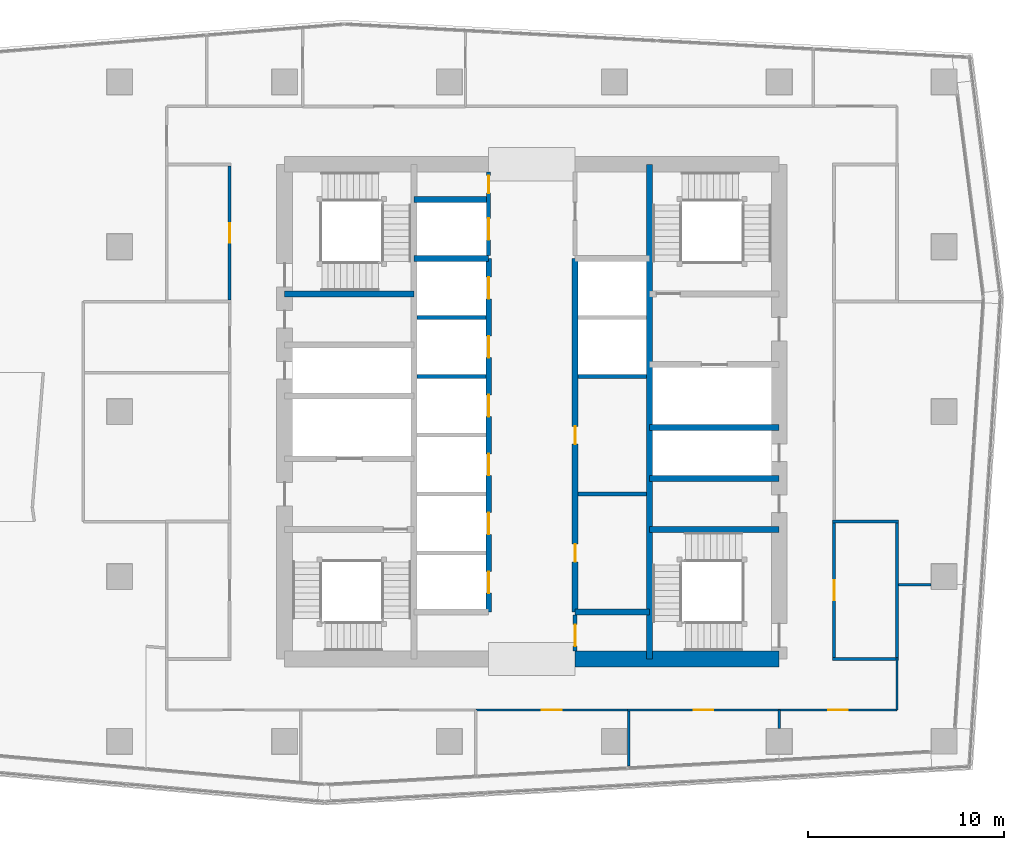
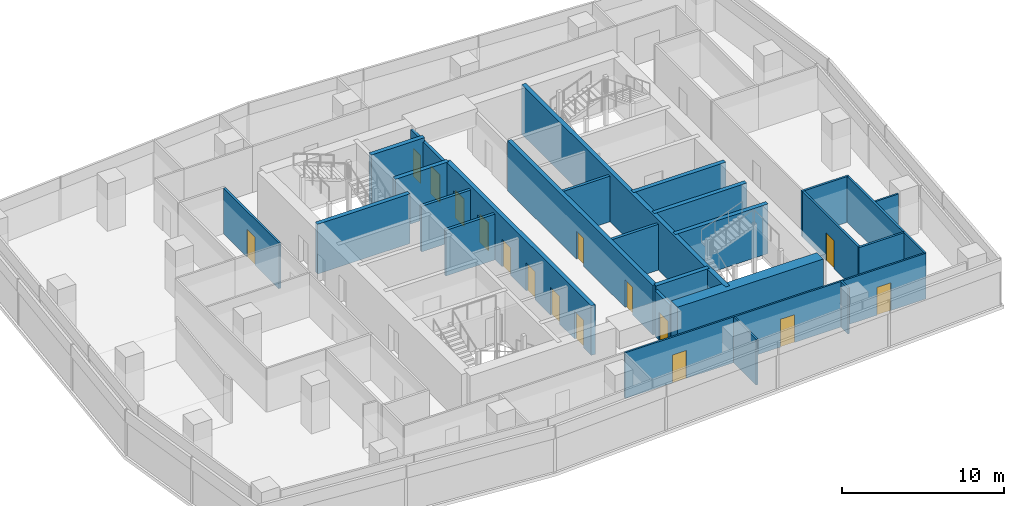
# One storey, part 23 of 30: 29 walls, 16 doors, 16 openings.
"""IFC4 building model written with IfcOpenShell, lengths in metres."""

from ifc_helpers import new_model, si_unit, direction, frame, frame_2d, origin, place, context, subcontext, project, spatial, rectangle, extrude, material, layer, layer_set, type_object, element, fill, save


model = new_model("IFC4")

# Units and contexts
model_context = context("Model", 3, precision=1e-05, world=origin(), true_north=direction((0.0, 1.0)))
body_context = subcontext(model_context, "Body", "Model", "MODEL_VIEW")
ifc_project = project(units=[si_unit("LENGTHUNIT", "METRE"), si_unit("AREAUNIT", "SQUARE_METRE"), si_unit("VOLUMEUNIT", "CUBIC_METRE"), si_unit("PLANEANGLEUNIT", "RADIAN"), si_unit("MASSUNIT", "GRAM", prefix="KILO")], contexts=[model_context])

# Site, building, storey
site_placement = place(None, origin())
site = spatial("IfcSite", under=ifc_project, at=site_placement, CompositionType="ELEMENT")
building_placement = place(site_placement, origin())
building = spatial("IfcBuilding", under=site, at=building_placement, Name="Rekha Terrace Tower", CompositionType="ELEMENT")
storey_placement = place(building_placement, frame((0.0, 0.0, 287.60009765625)))
storey = spatial("IfcBuildingStorey", under=building, at=storey_placement, Name="L73", CompositionType="ELEMENT", Elevation=287.60009765625)

# Wall
ifc_material_1 = material(Name="Concrete M60", Category="concrete")
ifc_layer_1 = layer(ifc_material_1, 0.300048828125)
ifc_layer_set_1 = layer_set([ifc_layer_1], Name="Concrete M60")
wall_type_1 = type_object("IfcWallType", Name="CI5 300 core internal shear wall", PredefinedType="SHEAR", material=ifc_layer_set_1)
wall_1_placement = place(storey_placement, frame((43.800048828125, 21.0, 0.0), z_axis=(0.0, 0.0, 1.0), x_axis=(0.0, 1.0, 0.0)))
element("IfcWall", 1, at=wall_1_placement, inside=storey, type_object=wall_type_1, Name="Core wall X438 L73", PredefinedType="SHEAR", context=body_context, shape_type="SweptSolid", body=[
    extrude(rectangle(XDim=25.199951171875, YDim=0.300048828125, at=frame_2d((12.60009765625, 0.0))), origin(), (0.0, 0.0, 1.0), 3.75),
])

# Wall, openings, doors
wall_2_placement = place(storey_placement, frame((35.60009765625, 23.39990234375, 0.0), z_axis=(0.0, 0.0, 1.0), x_axis=(0.0, 1.0, 0.0)))
wall_2 = element("IfcWall", 2, at=wall_2_placement, inside=storey, type_object=wall_type_1, Name="Core wall X356 L73", PredefinedType="SHEAR", context=body_context, shape_type="SweptSolid", body=[
    extrude(rectangle(XDim=18.0, YDim=0.300048828125, at=frame_2d((9.0, 0.0))), origin(), (0.0, 0.0, 1.0), 3.75),
])
opening_1_placement = place(wall_2_placement, frame((0.949951171875, 0.0, 0.0)))
opening_1 = element("IfcOpeningElement", 3, at=opening_1_placement, cuts=wall_2, Name="Opening LD1", PredefinedType="OPENING", context=body_context, shape_type="SweptSolid", body=[
    extrude(rectangle(XDim=1.10009765625, YDim=2.10009765625, at=frame_2d((0.550048828125, 1.050048828125))), frame((0.0, 0.159912109375, 0.0), z_axis=(0.0, -1.0, 0.0), x_axis=(1.0, 0.0, 0.0)), (0.0, 0.0, 1.0), 0.320068359375),
])
opening_2_placement = place(wall_2_placement, frame((3.949951171875, 0.0, 0.0)))
opening_2 = element("IfcOpeningElement", 4, at=opening_2_placement, cuts=wall_2, Name="Opening LD1", PredefinedType="OPENING", context=body_context, shape_type="SweptSolid", body=[
    extrude(rectangle(XDim=1.10009765625, YDim=2.10009765625, at=frame_2d((0.550048828125, 1.050048828125))), frame((0.0, 0.159912109375, 0.0), z_axis=(0.0, -1.0, 0.0), x_axis=(1.0, 0.0, 0.0)), (0.0, 0.0, 1.0), 0.320068359375),
])
opening_3_placement = place(wall_2_placement, frame((6.949951171875, 0.0, 0.0)))
opening_3 = element("IfcOpeningElement", 5, at=opening_3_placement, cuts=wall_2, Name="Opening LD1", PredefinedType="OPENING", context=body_context, shape_type="SweptSolid", body=[
    extrude(rectangle(XDim=1.10009765625, YDim=2.10009765625, at=frame_2d((0.550048828125, 1.050048828125))), frame((0.0, 0.159912109375, 0.0), z_axis=(0.0, -1.0, 0.0), x_axis=(1.0, 0.0, 0.0)), (0.0, 0.0, 1.0), 0.320068359375),
])
opening_4_placement = place(wall_2_placement, frame((9.949951171875, 0.0, 0.0)))
opening_4 = element("IfcOpeningElement", 6, at=opening_4_placement, cuts=wall_2, Name="Opening LD1", PredefinedType="OPENING", context=body_context, shape_type="SweptSolid", body=[
    extrude(rectangle(XDim=1.10009765625, YDim=2.10009765625, at=frame_2d((0.550048828125, 1.050048828125))), frame((0.0, 0.159912109375, 0.0), z_axis=(0.0, -1.0, 0.0), x_axis=(1.0, 0.0, 0.0)), (0.0, 0.0, 1.0), 0.320068359375),
])
opening_5_placement = place(wall_2_placement, frame((12.949951171875, 0.0, 0.0)))
opening_5 = element("IfcOpeningElement", 7, at=opening_5_placement, cuts=wall_2, Name="Opening LD1", PredefinedType="OPENING", context=body_context, shape_type="SweptSolid", body=[
    extrude(rectangle(XDim=1.10009765625, YDim=2.10009765625, at=frame_2d((0.550048828125, 1.050048828125))), frame((0.0, 0.159912109375, 0.0), z_axis=(0.0, -1.0, 0.0), x_axis=(1.0, 0.0, 0.0)), (0.0, 0.0, 1.0), 0.320068359375),
])
opening_6_placement = place(wall_2_placement, frame((15.949951171875, 0.0, 0.0)))
opening_6 = element("IfcOpeningElement", 8, at=opening_6_placement, cuts=wall_2, Name="Opening LD1", PredefinedType="OPENING", context=body_context, shape_type="SweptSolid", body=[
    extrude(rectangle(XDim=1.10009765625, YDim=2.10009765625, at=frame_2d((0.550048828125, 1.050048828125))), frame((0.0, 0.159912109375, 0.0), z_axis=(0.0, -1.0, 0.0), x_axis=(1.0, 0.0, 0.0)), (0.0, 0.0, 1.0), 0.320068359375),
])
ifc_material_2 = material(Name="Stainless steel sliding landing door", Category="steel")
door_type_1 = type_object("IfcDoorType", Name="LD1 1100x2100 lift landing door", OperationType="SLIDING_TO_LEFT", PredefinedType="USERDEFINED", material=ifc_material_2)
door_1_placement = place(opening_1_placement, origin())
door_1 = element("IfcDoor", 9, at=door_1_placement, inside=storey, type_object=door_type_1, Name="Lift D1 landing door L73", ObjectType="LIFT LANDING DOOR", OperationType="SLIDING_TO_LEFT", OverallHeight=2.10009765625, OverallWidth=1.10009765625, PredefinedType="USERDEFINED", context=body_context, shape_type="SweptSolid", body=[
    extrude(rectangle(XDim=1.10009765625, YDim=2.10009765625, at=frame_2d((0.550048828125, 1.050048828125))), frame((0.0, 0.02490234375, 0.0), z_axis=(0.0, -1.0, 0.0), x_axis=(1.0, 0.0, 0.0)), (0.0, 0.0, 1.0), 0.050048828125),
])
fill(opening_1, door_1)
door_2_placement = place(opening_2_placement, origin())
door_2 = element("IfcDoor", 10, at=door_2_placement, inside=storey, type_object=door_type_1, Name="Lift D2 landing door L73", ObjectType="LIFT LANDING DOOR", OperationType="SLIDING_TO_LEFT", OverallHeight=2.10009765625, OverallWidth=1.10009765625, PredefinedType="USERDEFINED", context=body_context, shape_type="SweptSolid", body=[
    extrude(rectangle(XDim=1.10009765625, YDim=2.10009765625, at=frame_2d((0.550048828125, 1.050048828125))), frame((0.0, 0.02490234375, 0.0), z_axis=(0.0, -1.0, 0.0), x_axis=(1.0, 0.0, 0.0)), (0.0, 0.0, 1.0), 0.050048828125),
])
fill(opening_2, door_2)
door_3_placement = place(opening_3_placement, origin())
door_3 = element("IfcDoor", 11, at=door_3_placement, inside=storey, type_object=door_type_1, Name="Lift D3 landing door L73", ObjectType="LIFT LANDING DOOR", OperationType="SLIDING_TO_LEFT", OverallHeight=2.10009765625, OverallWidth=1.10009765625, PredefinedType="USERDEFINED", context=body_context, shape_type="SweptSolid", body=[
    extrude(rectangle(XDim=1.10009765625, YDim=2.10009765625, at=frame_2d((0.550048828125, 1.050048828125))), frame((0.0, 0.02490234375, 0.0), z_axis=(0.0, -1.0, 0.0), x_axis=(1.0, 0.0, 0.0)), (0.0, 0.0, 1.0), 0.050048828125),
])
fill(opening_3, door_3)
door_4_placement = place(opening_4_placement, origin())
door_4 = element("IfcDoor", 12, at=door_4_placement, inside=storey, type_object=door_type_1, Name="Lift D4 landing door L73", ObjectType="LIFT LANDING DOOR", OperationType="SLIDING_TO_LEFT", OverallHeight=2.10009765625, OverallWidth=1.10009765625, PredefinedType="USERDEFINED", context=body_context, shape_type="SweptSolid", body=[
    extrude(rectangle(XDim=1.10009765625, YDim=2.10009765625, at=frame_2d((0.550048828125, 1.050048828125))), frame((0.0, 0.02490234375, 0.0), z_axis=(0.0, -1.0, 0.0), x_axis=(1.0, 0.0, 0.0)), (0.0, 0.0, 1.0), 0.050048828125),
])
fill(opening_4, door_4)
door_5_placement = place(opening_5_placement, origin())
door_5 = element("IfcDoor", 13, at=door_5_placement, inside=storey, type_object=door_type_1, Name="Lift D5 landing door L73", ObjectType="LIFT LANDING DOOR", OperationType="SLIDING_TO_LEFT", OverallHeight=2.10009765625, OverallWidth=1.10009765625, PredefinedType="USERDEFINED", context=body_context, shape_type="SweptSolid", body=[
    extrude(rectangle(XDim=1.10009765625, YDim=2.10009765625, at=frame_2d((0.550048828125, 1.050048828125))), frame((0.0, 0.02490234375, 0.0), z_axis=(0.0, -1.0, 0.0), x_axis=(1.0, 0.0, 0.0)), (0.0, 0.0, 1.0), 0.050048828125),
])
fill(opening_5, door_5)
door_6_placement = place(opening_6_placement, origin())
door_6 = element("IfcDoor", 14, at=door_6_placement, inside=storey, type_object=door_type_1, Name="Lift D6 landing door L73", ObjectType="LIFT LANDING DOOR", OperationType="SLIDING_TO_LEFT", OverallHeight=2.10009765625, OverallWidth=1.10009765625, PredefinedType="USERDEFINED", context=body_context, shape_type="SweptSolid", body=[
    extrude(rectangle(XDim=1.10009765625, YDim=2.10009765625, at=frame_2d((0.550048828125, 1.050048828125))), frame((0.0, 0.02490234375, 0.0), z_axis=(0.0, -1.0, 0.0), x_axis=(1.0, 0.0, 0.0)), (0.0, 0.0, 1.0), 0.050048828125),
])
fill(opening_6, door_6)

wall_3_placement = place(storey_placement, frame((40.0, 23.39990234375, 0.0), z_axis=(0.0, 0.0, 1.0), x_axis=(0.0, 1.0, 0.0)))
wall_3 = element("IfcWall", 15, at=wall_3_placement, inside=storey, type_object=wall_type_1, Name="Core wall X400 L73", PredefinedType="SHEAR", context=body_context, shape_type="SweptSolid", body=[
    extrude(rectangle(XDim=18.0, YDim=0.300048828125, at=frame_2d((9.0, 0.0))), origin(), (0.0, 0.0, 1.0), 3.75),
])
opening_7_placement = place(wall_3_placement, frame((2.550048828125, 0.0, 0.0)))
opening_7 = element("IfcOpeningElement", 16, at=opening_7_placement, cuts=wall_3, Name="Opening D5", PredefinedType="OPENING", context=body_context, shape_type="SweptSolid", body=[
    extrude(rectangle(XDim=0.89990234375, YDim=2.10009765625, at=frame_2d((0.449951171875, 1.050048828125))), frame((0.0, 0.159912109375, 0.0), z_axis=(0.0, -1.0, 0.0), x_axis=(1.0, 0.0, 0.0)), (0.0, 0.0, 1.0), 0.320068359375),
])
opening_8_placement = place(wall_3_placement, frame((8.550048828125, 0.0, 0.0)))
opening_8 = element("IfcOpeningElement", 17, at=opening_8_placement, cuts=wall_3, Name="Opening D5", PredefinedType="OPENING", context=body_context, shape_type="SweptSolid", body=[
    extrude(rectangle(XDim=0.89990234375, YDim=2.10009765625, at=frame_2d((0.449951171875, 1.050048828125))), frame((0.0, 0.159912109375, 0.0), z_axis=(0.0, -1.0, 0.0), x_axis=(1.0, 0.0, 0.0)), (0.0, 0.0, 1.0), 0.320068359375),
])
ifc_material_3 = material(Name="Steel fire door", Category="steel")
door_type_2 = type_object("IfcDoorType", Name="D5 900x2100 riser access door", OperationType="SINGLE_SWING_LEFT", PredefinedType="DOOR", material=ifc_material_3)
door_7_placement = place(opening_7_placement, origin())
door_7 = element("IfcDoor", 18, at=door_7_placement, inside=storey, type_object=door_type_2, Name="Door back-of-house store L73", OperationType="SINGLE_SWING_LEFT", OverallHeight=2.10009765625, OverallWidth=0.89990234375, PredefinedType="DOOR", context=body_context, shape_type="SweptSolid", body=[
    extrude(rectangle(XDim=0.89990234375, YDim=2.10009765625, at=frame_2d((0.449951171875, 1.050048828125))), frame((0.0, 0.02490234375, 0.0), z_axis=(0.0, -1.0, 0.0), x_axis=(1.0, 0.0, 0.0)), (0.0, 0.0, 1.0), 0.050048828125),
])
fill(opening_7, door_7)
door_8_placement = place(opening_8_placement, origin())
door_8 = element("IfcDoor", 19, at=door_8_placement, inside=storey, type_object=door_type_2, Name="Door back-of-house store L73", OperationType="SINGLE_SWING_LEFT", OverallHeight=2.10009765625, OverallWidth=0.89990234375, PredefinedType="DOOR", context=body_context, shape_type="SweptSolid", body=[
    extrude(rectangle(XDim=0.89990234375, YDim=2.10009765625, at=frame_2d((0.449951171875, 1.050048828125))), frame((0.0, 0.02490234375, 0.0), z_axis=(0.0, -1.0, 0.0), x_axis=(1.0, 0.0, 0.0)), (0.0, 0.0, 1.0), 0.050048828125),
])
fill(opening_8, door_8)

# Walls
for number, where, z_axis, x_axis, name in (
    (20, (31.800048828125, 41.39990234375, 0.0), (0.0, 0.0, 1.0), (1.0, 0.0, 0.0), "Core wall Y414W L73"),
    (21, (31.800048828125, 44.39990234375, 0.0), (0.0, 0.0, 1.0), (1.0, 0.0, 0.0), "Core wall Y444W L73"),
    (22, (40.0, 23.39990234375, 0.0), (0.0, 0.0, 1.0), (1.0, 0.0, 0.0), "Core wall Y234E L73"),
):
    element("IfcWall", number, at=place(storey_placement, frame(where, z_axis=z_axis, x_axis=x_axis)), inside=storey, type_object=wall_type_1, Name=name, PredefinedType="SHEAR", context=body_context, shape_type="SweptSolid", body=[
        extrude(rectangle(XDim=3.800048828125, YDim=0.300048828125, at=frame_2d((1.89990234375, 0.0))), origin(), (0.0, 0.0, 1.0), 3.75),
    ])
wall_4_placement = place(storey_placement, frame((25.199951171875, 39.60009765625, 0.0), z_axis=(0.0, 0.0, 1.0), x_axis=(1.0, 0.0, 0.0)))
element("IfcWall", 23, at=wall_4_placement, inside=storey, type_object=wall_type_1, Name="Core wall Y396W L73", PredefinedType="SHEAR", context=body_context, shape_type="SweptSolid", body=[
    extrude(rectangle(XDim=6.60009765625, YDim=0.300048828125, at=frame_2d((3.300048828125, 0.0))), origin(), (0.0, 0.0, 1.0), 3.75),
])
for number, where, z_axis, x_axis, name in (
    (24, (43.800048828125, 27.60009765625, 0.0), (0.0, 0.0, 1.0), (1.0, 0.0, 0.0), "Core wall Y276E L73"),
    (25, (43.800048828125, 30.199951171875, 0.0), (0.0, 0.0, 1.0), (1.0, 0.0, 0.0), "Core wall Y302E L73"),
    (26, (43.800048828125, 32.800048828125, 0.0), (0.0, 0.0, 1.0), (1.0, 0.0, 0.0), "Core wall Y328E L73"),
):
    element("IfcWall", number, at=place(storey_placement, frame(where, z_axis=z_axis, x_axis=x_axis)), inside=storey, type_object=wall_type_1, Name=name, PredefinedType="SHEAR", context=body_context, shape_type="SweptSolid", body=[
        extrude(rectangle(XDim=6.599853515625, YDim=0.300048828125, at=frame_2d((3.2998046875, 0.0))), origin(), (0.0, 0.0, 1.0), 3.75),
    ])
ifc_layer_2 = layer(ifc_material_1, 0.800048828125)
ifc_layer_set_2 = layer_set([ifc_layer_2], Name="Concrete M60")
wall_type_2 = type_object("IfcWallType", Name="SW5 800 core outer shear wall", PredefinedType="SHEAR", material=ifc_layer_set_2)
wall_5_placement = place(storey_placement, frame((40.0, 21.0, 0.0), z_axis=(0.0, 0.0, 1.0), x_axis=(1.0, 0.0, 0.0)))
element("IfcWall", 27, at=wall_5_placement, inside=storey, type_object=wall_type_2, Name="Core wall S2 L73", PredefinedType="SHEAR", context=body_context, shape_type="SweptSolid", body=[
    extrude(rectangle(XDim=10.39990234375, YDim=0.800048828125, at=frame_2d((5.199951171875, 0.0))), origin(), (0.0, 0.0, 1.0), 3.75),
])

# Wall, opening, door
ifc_material_4 = material(Name="Concrete block masonry, 1 hour", Category="masonry")
ifc_layer_3 = layer(ifc_material_4, 0.14990234375)
ifc_layer_set_3 = layer_set([ifc_layer_3], Name="Concrete block masonry, 1 hour")
wall_type_3 = type_object("IfcWallType", Name="WP2 150 tenancy partition", PredefinedType="PARTITIONING", material=ifc_layer_set_3)
wall_6_placement = place(storey_placement, frame((22.39990234375, 39.27490234375, 0.0), z_axis=(0.0, 0.0, 1.0), x_axis=(0.0, 1.0, 0.0)))
wall_6 = element("IfcWall", 28, at=wall_6_placement, inside=storey, type_object=wall_type_3, Name="Women's WC wall L73", PredefinedType="PARTITIONING", context=body_context, shape_type="SweptSolid", body=[
    extrude(rectangle(XDim=6.85009765625, YDim=0.14990234375, at=frame_2d((3.425048828125, 0.0))), origin(), (0.0, 0.0, 1.0), 3.449951171875),
])
opening_9_placement = place(wall_6_placement, frame((2.925048828125, 0.0, 0.0)))
opening_9 = element("IfcOpeningElement", 29, at=opening_9_placement, cuts=wall_6, Name="Opening D3", PredefinedType="OPENING", context=body_context, shape_type="SweptSolid", body=[
    extrude(rectangle(XDim=1.0, YDim=2.10009765625, at=frame_2d((0.5, 1.050048828125))), frame((0.0, 0.0849609375, 0.0), z_axis=(0.0, -1.0, 0.0), x_axis=(1.0, 0.0, 0.0)), (0.0, 0.0, 1.0), 0.169921875),
])
ifc_material_5 = material(Name="Laminated timber fire door", Category="wood")
door_type_3 = type_object("IfcDoorType", Name="D3 1000x2100 WC door", OperationType="SINGLE_SWING_LEFT", PredefinedType="DOOR", material=ifc_material_5)
door_9_placement = place(opening_9_placement, origin())
door_9 = element("IfcDoor", 30, at=door_9_placement, inside=storey, type_object=door_type_3, Name="Door women's wc L73", OperationType="SINGLE_SWING_LEFT", OverallHeight=2.10009765625, OverallWidth=1.0, PredefinedType="DOOR", context=body_context, shape_type="SweptSolid", body=[
    extrude(rectangle(XDim=1.0, YDim=2.10009765625, at=frame_2d((0.5, 1.050048828125))), frame((0.0, 0.02490234375, 0.0), z_axis=(0.0, -1.0, 0.0), x_axis=(1.0, 0.0, 0.0)), (0.0, 0.0, 1.0), 0.050048828125),
])
fill(opening_9, door_9)

# Walls
for number, where, z_axis, x_axis, name in (
    (31, (53.125, 21.0, 0.0), (0.0, 0.0, 1.0), (1.0, 0.0, 0.0), "Men's WC wall L73"),
    (32, (53.125, 28.0, 0.0), (0.0, 0.0, 1.0), (1.0, 0.0, 0.0), "Men's WC wall L73"),
):
    element("IfcWall", number, at=place(storey_placement, frame(where, z_axis=z_axis, x_axis=x_axis)), inside=storey, type_object=wall_type_3, Name=name, PredefinedType="PARTITIONING", context=body_context, shape_type="SweptSolid", body=[
        extrude(rectangle(XDim=3.35009765625, YDim=0.14990234375, at=frame_2d((1.675048828125, 0.0))), origin(), (0.0, 0.0, 1.0), 3.449951171875),
    ])

# Wall, opening, door
wall_7_placement = place(storey_placement, frame((53.199951171875, 21.074951171875, 0.0), z_axis=(0.0, 0.0, 1.0), x_axis=(0.0, 1.0, 0.0)))
wall_7 = element("IfcWall", 33, at=wall_7_placement, inside=storey, type_object=wall_type_3, Name="Men's WC wall L73", PredefinedType="PARTITIONING", context=body_context, shape_type="SweptSolid", body=[
    extrude(rectangle(XDim=6.85009765625, YDim=0.14990234375, at=frame_2d((3.425048828125, 0.0))), origin(), (0.0, 0.0, 1.0), 3.449951171875),
])
opening_10_placement = place(wall_7_placement, frame((2.925048828125, 0.0, 0.0)))
opening_10 = element("IfcOpeningElement", 34, at=opening_10_placement, cuts=wall_7, Name="Opening D3", PredefinedType="OPENING", context=body_context, shape_type="SweptSolid", body=[
    extrude(rectangle(XDim=1.0, YDim=2.10009765625, at=frame_2d((0.5, 1.050048828125))), frame((0.0, 0.0849609375, 0.0), z_axis=(0.0, -1.0, 0.0), x_axis=(1.0, 0.0, 0.0)), (0.0, 0.0, 1.0), 0.169921875),
])
door_10_placement = place(opening_10_placement, origin())
door_10 = element("IfcDoor", 35, at=door_10_placement, inside=storey, type_object=door_type_3, Name="Door men's wc L73", OperationType="SINGLE_SWING_LEFT", OverallHeight=2.10009765625, OverallWidth=1.0, PredefinedType="DOOR", context=body_context, shape_type="SweptSolid", body=[
    extrude(rectangle(XDim=1.0, YDim=2.10009765625, at=frame_2d((0.5, 1.050048828125))), frame((0.0, 0.02490234375, 0.0), z_axis=(0.0, -1.0, 0.0), x_axis=(1.0, 0.0, 0.0)), (0.0, 0.0, 1.0), 0.050048828125),
])
fill(opening_10, door_10)

# Wall
wall_8_placement = place(storey_placement, frame((56.39990234375, 21.074951171875, 0.0), z_axis=(0.0, 0.0, 1.0), x_axis=(0.0, 1.0, 0.0)))
element("IfcWall", 36, at=wall_8_placement, inside=storey, type_object=wall_type_3, Name="Men's WC wall L73", PredefinedType="PARTITIONING", context=body_context, shape_type="SweptSolid", body=[
    extrude(rectangle(XDim=6.85009765625, YDim=0.14990234375, at=frame_2d((3.425048828125, 0.0))), origin(), (0.0, 0.0, 1.0), 3.449951171875),
])

# Wall, opening, door
ifc_material_6 = material(Name="Two layers of fire-rated gypsum board each side on steel studs, acoustic quilt, 1 hour", Category="steel")
ifc_layer_4 = layer(ifc_material_6, 0.125)
ifc_layer_set_4 = layer_set([ifc_layer_4], Name="Two layers of fire-rated gypsum board each side on steel studs, acoustic quilt, 1 hour")
wall_type_4 = type_object("IfcWallType", Name="WP3 125 office partition", PredefinedType="PARTITIONING", material=ifc_layer_set_4)
wall_9_placement = place(storey_placement, frame((42.674072265625, 18.39990234375, 0.0), z_axis=(0.0, 0.0, 1.0), x_axis=(1.0, 0.0, 0.0)))
wall_9 = element("IfcWall", 37, at=wall_9_placement, inside=storey, type_object=wall_type_4, Name="Partition L73-02", PredefinedType="PARTITIONING", context=body_context, shape_type="SweptSolid", body=[
    extrude(rectangle(XDim=7.724853515625, YDim=0.125, at=frame_2d((3.8623046875, 0.0))), origin(), (0.0, 0.0, 1.0), 3.449951171875),
])
opening_11_placement = place(wall_9_placement, frame((3.363037109375, 0.0, 0.0)))
opening_11 = element("IfcOpeningElement", 38, at=opening_11_placement, cuts=wall_9, Name="Opening D9", PredefinedType="OPENING", context=body_context, shape_type="SweptSolid", body=[
    extrude(rectangle(XDim=1.0, YDim=2.10009765625, at=frame_2d((0.5, 1.050048828125))), frame((0.0, 0.072509765625, 0.0), z_axis=(0.0, -1.0, 0.0), x_axis=(1.0, 0.0, 0.0)), (0.0, 0.0, 1.0), 0.14501953125),
])
ifc_material_7 = material(Name="Timber fire door", Category="wood")
door_type_4 = type_object("IfcDoorType", Name="D9 1000x2100 office door", OperationType="SINGLE_SWING_LEFT", PredefinedType="DOOR", material=ifc_material_7)
door_11_placement = place(opening_11_placement, origin())
door_11 = element("IfcDoor", 39, at=door_11_placement, inside=storey, type_object=door_type_4, Name="Door meeting room L73", OperationType="SINGLE_SWING_LEFT", OverallHeight=2.10009765625, OverallWidth=1.0, PredefinedType="DOOR", context=body_context, shape_type="SweptSolid", body=[
    extrude(rectangle(XDim=1.0, YDim=2.10009765625, at=frame_2d((0.5, 1.050048828125))), frame((0.0, 0.02490234375, 0.0), z_axis=(0.0, -1.0, 0.0), x_axis=(1.0, 0.0, 0.0)), (0.0, 0.0, 1.0), 0.050048828125),
])
fill(opening_11, door_11)

# Walls
wall_10_placement = place(storey_placement, frame((50.39892578125, 18.39990234375, 0.0), z_axis=(0.0, 0.0, 1.0), x_axis=(0.0, -1.0, 0.0)))
element("IfcWall", 40, at=wall_10_placement, inside=storey, type_object=wall_type_4, Name="Partition L73-02", PredefinedType="PARTITIONING", context=body_context, shape_type="SweptSolid", body=[
    extrude(rectangle(XDim=0.929931640625, YDim=0.125, at=frame_2d((0.46484375, 0.0))), origin(), (0.0, 0.0, 1.0), 3.449951171875),
])
wall_11_placement = place(storey_placement, frame((42.741943359375, 15.5380859375, 0.0), z_axis=(0.0, 0.0, 1.0), x_axis=(0.0, 1.0, 0.0)))
element("IfcWall", 41, at=wall_11_placement, inside=storey, type_object=wall_type_4, Name="Partition L73-02", PredefinedType="PARTITIONING", context=body_context, shape_type="SweptSolid", body=[
    extrude(rectangle(XDim=2.798828125, YDim=0.125, at=frame_2d((1.3994140625, 0.0))), origin(), (0.0, 0.0, 1.0), 3.449951171875),
])

# Wall, opening, door
wall_12_placement = place(storey_placement, frame((50.39990234375, 18.39990234375, 0.0), z_axis=(0.0, 0.0, 1.0), x_axis=(1.0, 0.0, 0.0)))
wall_12 = element("IfcWall", 42, at=wall_12_placement, inside=storey, type_object=wall_type_4, Name="Partition L73-03", PredefinedType="PARTITIONING", context=body_context, shape_type="SweptSolid", body=[
    extrude(rectangle(XDim=6.0, YDim=0.125, at=frame_2d((3.0, 0.0))), origin(), (0.0, 0.0, 1.0), 3.449951171875),
])
opening_12_placement = place(wall_12_placement, frame((2.5, 0.0, 0.0)))
opening_12 = element("IfcOpeningElement", 43, at=opening_12_placement, cuts=wall_12, Name="Opening D9", PredefinedType="OPENING", context=body_context, shape_type="SweptSolid", body=[
    extrude(rectangle(XDim=1.0, YDim=2.10009765625, at=frame_2d((0.5, 1.050048828125))), frame((0.0, 0.072509765625, 0.0), z_axis=(0.0, -1.0, 0.0), x_axis=(1.0, 0.0, 0.0)), (0.0, 0.0, 1.0), 0.14501953125),
])
door_12_placement = place(opening_12_placement, origin())
door_12 = element("IfcDoor", 44, at=door_12_placement, inside=storey, type_object=door_type_4, Name="Door chairman's office L73", OperationType="SINGLE_SWING_LEFT", OverallHeight=2.10009765625, OverallWidth=1.0, PredefinedType="DOOR", context=body_context, shape_type="SweptSolid", body=[
    extrude(rectangle(XDim=1.0, YDim=2.10009765625, at=frame_2d((0.5, 1.050048828125))), frame((0.0, 0.02490234375, 0.0), z_axis=(0.0, -1.0, 0.0), x_axis=(1.0, 0.0, 0.0)), (0.0, 0.0, 1.0), 0.050048828125),
])
fill(opening_12, door_12)

# Walls
wall_13_placement = place(storey_placement, frame((56.39990234375, 18.39990234375, 0.0), z_axis=(0.0, 0.0, 1.0), x_axis=(0.0, 1.0, 0.0)))
element("IfcWall", 45, at=wall_13_placement, inside=storey, type_object=wall_type_4, Name="Partition L73-03", PredefinedType="PARTITIONING", context=body_context, shape_type="SweptSolid", body=[
    extrude(rectangle(XDim=2.675048828125, YDim=0.125, at=frame_2d((1.33740234375, 0.0))), origin(), (0.0, 0.0, 1.0), 3.449951171875),
])
wall_14_placement = place(storey_placement, frame((56.47509765625, 24.785888671875, 0.0), z_axis=(0.0, 0.0, 1.0), x_axis=(1.0, 0.0, 0.0)))
element("IfcWall", 46, at=wall_14_placement, inside=storey, type_object=wall_type_4, Name="Partition L73-03", PredefinedType="PARTITIONING", context=body_context, shape_type="SweptSolid", body=[
    extrude(rectangle(XDim=1.65478515625, YDim=0.125, at=frame_2d((0.827392578125, 0.0))), origin(), (0.0, 0.0, 1.0), 3.449951171875),
])

# Wall, opening, door
wall_15_placement = place(storey_placement, frame((34.947998046875, 18.39990234375, 0.0), z_axis=(0.0, 0.0, 1.0), x_axis=(1.0, 0.0, 0.0)))
wall_15 = element("IfcWall", 47, at=wall_15_placement, inside=storey, type_object=wall_type_4, Name="Partition L73-06", PredefinedType="PARTITIONING", context=body_context, shape_type="SweptSolid", body=[
    extrude(rectangle(XDim=7.72509765625, YDim=0.125, at=frame_2d((3.862548828125, 0.0))), origin(), (0.0, 0.0, 1.0), 3.449951171875),
])
opening_13_placement = place(wall_15_placement, frame((3.363037109375, 0.0, 0.0)))
opening_13 = element("IfcOpeningElement", 48, at=opening_13_placement, cuts=wall_15, Name="Opening D9", PredefinedType="OPENING", context=body_context, shape_type="SweptSolid", body=[
    extrude(rectangle(XDim=1.0, YDim=2.10009765625, at=frame_2d((0.5, 1.050048828125))), frame((0.0, 0.072509765625, 0.0), z_axis=(0.0, -1.0, 0.0), x_axis=(1.0, 0.0, 0.0)), (0.0, 0.0, 1.0), 0.14501953125),
])
door_13_placement = place(opening_13_placement, origin())
door_13 = element("IfcDoor", 49, at=door_13_placement, inside=storey, type_object=door_type_4, Name="Door reference library L73", OperationType="SINGLE_SWING_LEFT", OverallHeight=2.10009765625, OverallWidth=1.0, PredefinedType="DOOR", context=body_context, shape_type="SweptSolid", body=[
    extrude(rectangle(XDim=1.0, YDim=2.10009765625, at=frame_2d((0.5, 1.050048828125))), frame((0.0, 0.02490234375, 0.0), z_axis=(0.0, -1.0, 0.0), x_axis=(1.0, 0.0, 0.0)), (0.0, 0.0, 1.0), 0.050048828125),
])
fill(opening_13, door_13)

# Walls
ifc_material_8 = material(Name="Solid concrete block masonry, 2 hour", Category="masonry")
ifc_layer_5 = layer(ifc_material_8, 0.199951171875)
ifc_layer_set_5 = layer_set([ifc_layer_5], Name="Solid concrete block masonry, 2 hour")
wall_type_5 = type_object("IfcWallType", Name="WS1 200 stair and shaft enclosure", PredefinedType="PARTITIONING", material=ifc_layer_set_5)
for number, where, z_axis, x_axis, name in (
    (50, (31.949951171875, 35.39990234375, 0.0), (0.0, 0.0, 1.0), (1.0, 0.0, 0.0), "Lift shaft divider L73"),
    (51, (31.949951171875, 38.39990234375, 0.0), (0.0, 0.0, 1.0), (1.0, 0.0, 0.0), "Lift shaft divider L73"),
    (52, (40.14990234375, 29.39990234375, 0.0), (0.0, 0.0, 1.0), (1.0, 0.0, 0.0), "Lift shaft divider L73"),
    (53, (40.14990234375, 35.39990234375, 0.0), (0.0, 0.0, 1.0), (1.0, 0.0, 0.0), "Lift shaft divider L73"),
):
    element("IfcWall", number, at=place(storey_placement, frame(where, z_axis=z_axis, x_axis=x_axis)), inside=storey, type_object=wall_type_5, Name=name, PredefinedType="PARTITIONING", context=body_context, shape_type="SweptSolid", body=[
        extrude(rectangle(XDim=3.5, YDim=0.199951171875, at=frame_2d((1.75, 0.0))), origin(), (0.0, 0.0, 1.0), 3.449951171875),
    ])

# Wall, opening, door
wall_16_placement = place(storey_placement, frame((40.0, 21.39990234375, 0.0), z_axis=(0.0, 0.0, 1.0), x_axis=(0.0, 1.0, 0.0)))
wall_16 = element("IfcWall", 54, at=wall_16_placement, inside=storey, type_object=wall_type_5, Name="Core partition wca L73", PredefinedType="PARTITIONING", context=body_context, shape_type="SweptSolid", body=[
    extrude(rectangle(XDim=1.85009765625, YDim=0.199951171875, at=frame_2d((0.925048828125, 0.0))), origin(), (0.0, 0.0, 1.0), 3.449951171875),
])
opening_14_placement = place(wall_16_placement, frame((0.25, 0.0, 0.0)))
opening_14 = element("IfcOpeningElement", 55, at=opening_14_placement, cuts=wall_16, Name="Opening D4", PredefinedType="OPENING", context=body_context, shape_type="SweptSolid", body=[
    extrude(rectangle(XDim=1.10009765625, YDim=2.10009765625, at=frame_2d((0.550048828125, 1.050048828125))), frame((0.0, 0.10986328125, 0.0), z_axis=(0.0, -1.0, 0.0), x_axis=(1.0, 0.0, 0.0)), (0.0, 0.0, 1.0), 0.219970703125),
])
door_type_5 = type_object("IfcDoorType", Name="D4 1100x2100 accessible WC door", OperationType="SLIDING_TO_LEFT", PredefinedType="DOOR", material=ifc_material_5)
door_14_placement = place(opening_14_placement, origin())
door_14 = element("IfcDoor", 56, at=door_14_placement, inside=storey, type_object=door_type_5, Name="Door wca L73", OperationType="SLIDING_TO_LEFT", OverallHeight=2.10009765625, OverallWidth=1.10009765625, PredefinedType="DOOR", context=body_context, shape_type="SweptSolid", body=[
    extrude(rectangle(XDim=1.10009765625, YDim=2.10009765625, at=frame_2d((0.550048828125, 1.050048828125))), frame((0.0, 0.02490234375, 0.0), z_axis=(0.0, -1.0, 0.0), x_axis=(1.0, 0.0, 0.0)), (0.0, 0.0, 1.0), 0.050048828125),
])
fill(opening_14, door_14)

# Wall, openings, doors
wall_17_placement = place(storey_placement, frame((35.60009765625, 41.550048828125, 0.0), z_axis=(0.0, 0.0, 1.0), x_axis=(0.0, 1.0, 0.0)))
wall_17 = element("IfcWall", 57, at=wall_17_placement, inside=storey, type_object=wall_type_5, Name="Core partition jansv L73", PredefinedType="PARTITIONING", context=body_context, shape_type="SweptSolid", body=[
    extrude(rectangle(XDim=4.25, YDim=0.199951171875, at=frame_2d((2.125, 0.0))), origin(), (0.0, 0.0, 1.0), 3.449951171875),
])
opening_15_placement = place(wall_17_placement, frame((3.175048828125, 0.0, 0.0)))
opening_15 = element("IfcOpeningElement", 58, at=opening_15_placement, cuts=wall_17, Name="Opening D5", PredefinedType="OPENING", context=body_context, shape_type="SweptSolid", body=[
    extrude(rectangle(XDim=0.89990234375, YDim=2.10009765625, at=frame_2d((0.449951171875, 1.050048828125))), frame((0.0, 0.10986328125, 0.0), z_axis=(0.0, -1.0, 0.0), x_axis=(1.0, 0.0, 0.0)), (0.0, 0.0, 1.0), 0.219970703125),
])
opening_16_placement = place(wall_17_placement, frame((0.800048828125, 0.0, 0.0)))
opening_16 = element("IfcOpeningElement", 59, at=opening_16_placement, cuts=wall_17, Name="Opening LD1", PredefinedType="OPENING", context=body_context, shape_type="SweptSolid", body=[
    extrude(rectangle(XDim=1.10009765625, YDim=2.10009765625, at=frame_2d((0.550048828125, 1.050048828125))), frame((0.0, 0.10986328125, 0.0), z_axis=(0.0, -1.0, 0.0), x_axis=(1.0, 0.0, 0.0)), (0.0, 0.0, 1.0), 0.219970703125),
])
door_15_placement = place(opening_15_placement, origin())
door_15 = element("IfcDoor", 60, at=door_15_placement, inside=storey, type_object=door_type_2, Name="Door janitor room L73", OperationType="SINGLE_SWING_LEFT", OverallHeight=2.10009765625, OverallWidth=0.89990234375, PredefinedType="DOOR", context=body_context, shape_type="SweptSolid", body=[
    extrude(rectangle(XDim=0.89990234375, YDim=2.10009765625, at=frame_2d((0.449951171875, 1.050048828125))), frame((0.0, 0.02490234375, 0.0), z_axis=(0.0, -1.0, 0.0), x_axis=(1.0, 0.0, 0.0)), (0.0, 0.0, 1.0), 0.050048828125),
])
fill(opening_15, door_15)
door_16_placement = place(opening_16_placement, origin())
door_16 = element("IfcDoor", 61, at=door_16_placement, inside=storey, type_object=door_type_1, Name="Lift SV1 landing door L73", ObjectType="LIFT LANDING DOOR", OperationType="SLIDING_TO_LEFT", OverallHeight=2.10009765625, OverallWidth=1.10009765625, PredefinedType="USERDEFINED", context=body_context, shape_type="SweptSolid", body=[
    extrude(rectangle(XDim=1.10009765625, YDim=2.10009765625, at=frame_2d((0.550048828125, 1.050048828125))), frame((0.0, 0.02490234375, 0.0), z_axis=(0.0, -1.0, 0.0), x_axis=(1.0, 0.0, 0.0)), (0.0, 0.0, 1.0), 0.050048828125),
])
fill(opening_16, door_16)

save(model, "model.ifc")
